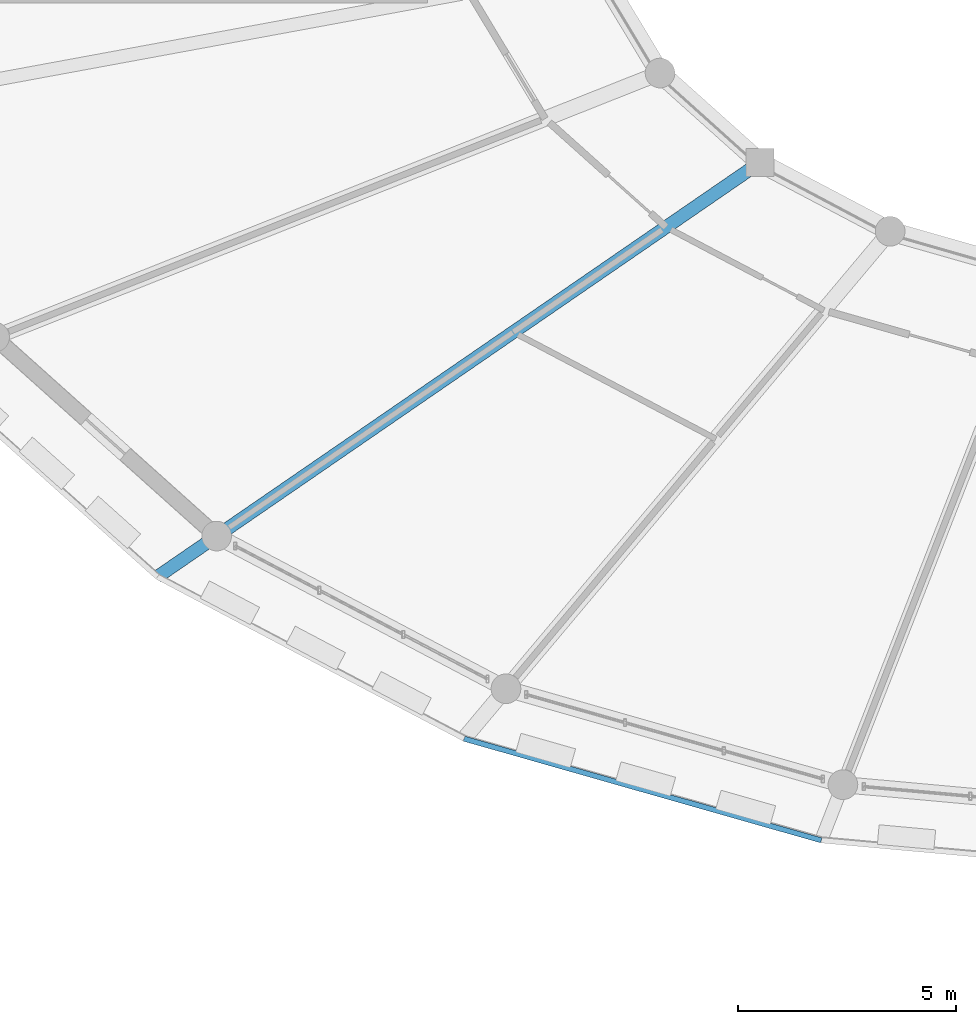
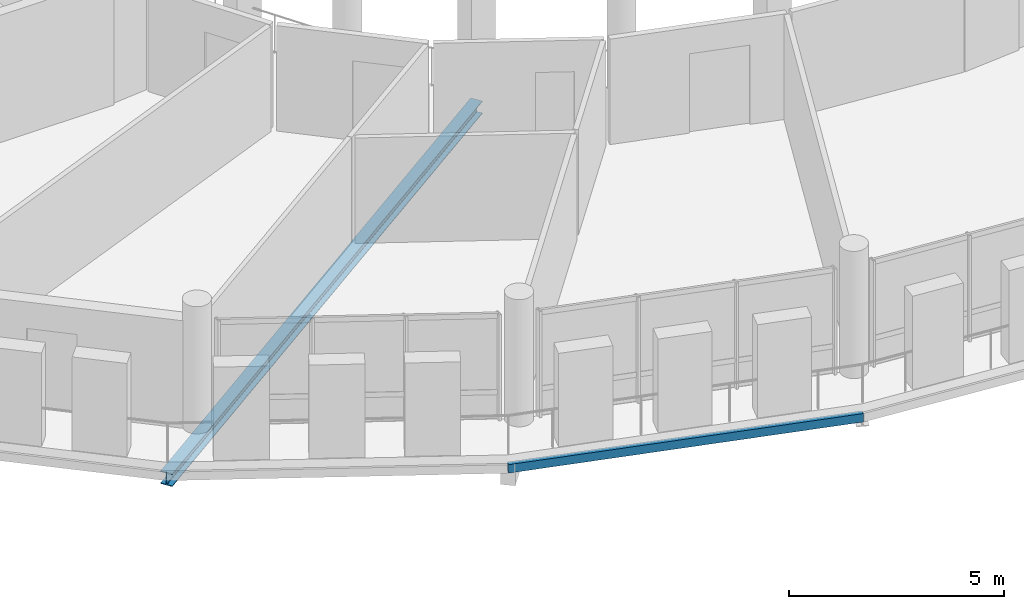
# One storey, part 41 of 128: 2 beams.
"""IFC4 building model written with IfcOpenShell, lengths in metres."""

from ifc_helpers import new_model, si_unit, direction, frame, origin, origin_2d, place, context, subcontext, project, spatial, hollow_rectangle, i_section, extrude, material, material_profile, profile_set, type_object, element, save


model = new_model("IFC4")

# Units and contexts
model_context = context("Model", 3, precision=1e-05, world=origin(), true_north=direction((0.0, 1.0)))
body_context = subcontext(model_context, "Body", "Model", "MODEL_VIEW")
ifc_project = project(units=[si_unit("LENGTHUNIT", "METRE"), si_unit("AREAUNIT", "SQUARE_METRE"), si_unit("VOLUMEUNIT", "CUBIC_METRE"), si_unit("PLANEANGLEUNIT", "RADIAN"), si_unit("MASSUNIT", "GRAM", prefix="KILO")], contexts=[model_context])

# Site, building, storey
site_placement = place(None, origin())
site = spatial("IfcSite", under=ifc_project, at=site_placement, CompositionType="ELEMENT")
building_placement = place(site_placement, origin())
building = spatial("IfcBuilding", under=site, at=building_placement, Name="Zornivar Specialist Clinic", CompositionType="ELEMENT")
storey_placement = place(building_placement, frame((0.0, 0.0, 4.5)))
storey = spatial("IfcBuildingStorey", under=building, at=storey_placement, Name="L01", CompositionType="ELEMENT", Elevation=4.5)

# Beams
ifc_material_1 = material(Name="Steel S355J2", Category="steel")
ifc_material_profile_1 = material_profile(ifc_material_1, i_section(OverallWidth=0.300048828125, OverallDepth=0.360107421875, WebThickness=0.012451171875, FlangeThickness=0.0224609375, FilletRadius=0.027099609375, at=origin_2d()), Name="HEB 360")
ifc_profile_set_1 = profile_set([ifc_material_profile_1], Name="Steel S355J2")
beam_type_1 = type_object("IfcBeamType", Name="BM-STL-HEB360", PredefinedType="BEAM", material=ifc_profile_set_1)
beam_1_placement = place(storey_placement, frame((83.41796875, 50.60009765625, -0.469970703125), z_axis=(-0.82402959127, -0.566546761276, 0.0), x_axis=(0.566546761276, -0.82402959127, 0.0)))
element("IfcBeam", 1, at=beam_1_placement, inside=storey, type_object=beam_type_1, Name="bm:V1:L01:radmid:15", PredefinedType="BEAM", context=body_context, shape_type="SweptSolid", body=[
    extrude(i_section(OverallWidth=0.300048828125, OverallDepth=0.360107421875, WebThickness=0.012451171875, FlangeThickness=0.0224609375, FilletRadius=0.027099609375, at=origin_2d()), origin(), (0.0, 0.0, 1.0), 16.75048828125),
])
ifc_material_2 = material(Name="Steel S355J2", Category="steel")
ifc_material_profile_2 = material_profile(ifc_material_2, hollow_rectangle(XDim=0.1201171875, YDim=0.239990234375, WallThickness=0.008056640625, at=origin_2d()), Name="RHS 240x120x8")
ifc_profile_set_2 = profile_set([ifc_material_profile_2], Name="Steel S355J2")
beam_type_2 = type_object("IfcBeamType", Name="BM-STL-RHS240", PredefinedType="JOIST", material=ifc_profile_set_2)
beam_2_placement = place(storey_placement, frame((76.639892578125, 37.404052734375, -0.360107421875), z_axis=(0.961783454314, -0.273811225131, 0.0), x_axis=(0.273811225131, 0.961783454314, 0.0)))
element("IfcBeam", 2, at=beam_2_placement, inside=storey, type_object=beam_type_2, Name="bm:V1:L01:balring:16", PredefinedType="JOIST", context=body_context, shape_type="SweptSolid", body=[
    extrude(hollow_rectangle(XDim=0.1201171875, YDim=0.239990234375, WallThickness=0.008056640625, at=origin_2d()), origin(), (0.0, 0.0, 1.0), 8.50634765625),
])

save(model, "model.ifc")
